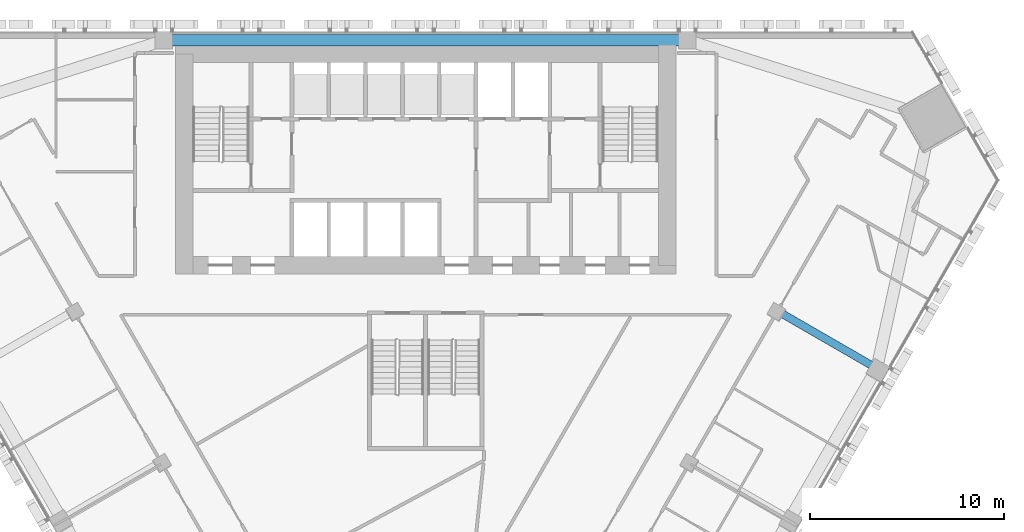
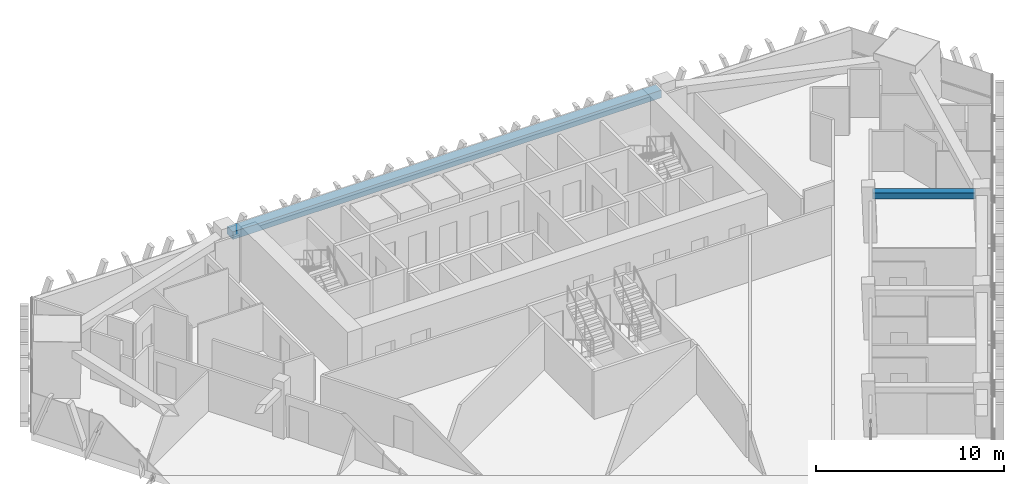
# One storey, part 6 of 16: 2 beams.
"""IFC4 building model written with IfcOpenShell, lengths in metres."""

from ifc_helpers import new_model, si_unit, direction, frame, origin, origin_2d, place, context, subcontext, project, spatial, rectangle, extrude, material, material_profile, profile_set, type_object, element, save


model = new_model("IFC4")

# Units and contexts
model_context = context("Model", 3, precision=1e-05, world=origin(), true_north=direction((0.0, 1.0)))
body_context = subcontext(model_context, "Body", "Model", "MODEL_VIEW")
ifc_project = project(units=[si_unit("LENGTHUNIT", "METRE"), si_unit("AREAUNIT", "SQUARE_METRE"), si_unit("VOLUMEUNIT", "CUBIC_METRE"), si_unit("PLANEANGLEUNIT", "RADIAN"), si_unit("MASSUNIT", "GRAM", prefix="KILO")], contexts=[model_context])

# Site, building, storey
site_placement = place(None, origin())
site = spatial("IfcSite", under=ifc_project, at=site_placement, CompositionType="ELEMENT")
building_placement = place(site_placement, origin())
building = spatial("IfcBuilding", under=site, at=building_placement, Name="Altiplano Prism Tower", CompositionType="ELEMENT")
storey_placement = place(building_placement, frame((0.0, 0.0, 81.0)))
storey = spatial("IfcBuildingStorey", under=building, at=storey_placement, Name="L20", CompositionType="ELEMENT", Elevation=81.0)

# Beams
ifc_material = material(Name="Concrete C60/75", Category="concrete")
ifc_material_profile_1 = material_profile(ifc_material, rectangle(XDim=0.60009765625, YDim=0.5, at=origin_2d()), Name="Edge beam 600x500")
ifc_profile_set_1 = profile_set([ifc_material_profile_1], Name="Concrete C60/75")
beam_type_1 = type_object("IfcBeamType", Name="Edge beam 600x500", PredefinedType="SPANDREL", material=ifc_profile_set_1)
beam_1_placement = place(storey_placement, frame((98.169921875, 104.550048828125, 2.85009765625), z_axis=(-1.0, 0.0, 0.0), x_axis=(0.0, -1.0, 0.0)))
element("IfcBeam", 1, at=beam_1_placement, inside=storey, type_object=beam_type_1, Name="Edge beam P01-P04 L21", PredefinedType="SPANDREL", context=body_context, shape_type="SweptSolid", body=[
    extrude(rectangle(XDim=0.60009765625, YDim=0.5, at=origin_2d()), origin(), (0.0, 0.0, 1.0), 26.33984375),
])
ifc_material_profile_2 = material_profile(ifc_material, rectangle(XDim=0.39990234375, YDim=0.39990234375, at=origin_2d()), Name="Tie beam 400x400")
ifc_profile_set_2 = profile_set([ifc_material_profile_2], Name="Concrete C60/75")
beam_type_2 = type_object("IfcBeamType", Name="Tie beam 400x400", PredefinedType="BEAM", material=ifc_profile_set_2)
beam_2_placement = place(storey_placement, frame((103.226806640625, 90.54296875, 2.89990234375), z_axis=(0.866031549307, -0.499989355492, 0.0), x_axis=(0.499989355492, 0.866031549307, 0.0)))
element("IfcBeam", 2, at=beam_2_placement, inside=storey, type_object=beam_type_2, Name="Tie beam I24 L21", PredefinedType="BEAM", context=body_context, shape_type="SweptSolid", body=[
    extrude(rectangle(XDim=0.39990234375, YDim=0.39990234375, at=origin_2d()), origin(), (0.0, 0.0, 1.0), 5.48974609375),
])

save(model, "model.ifc")
